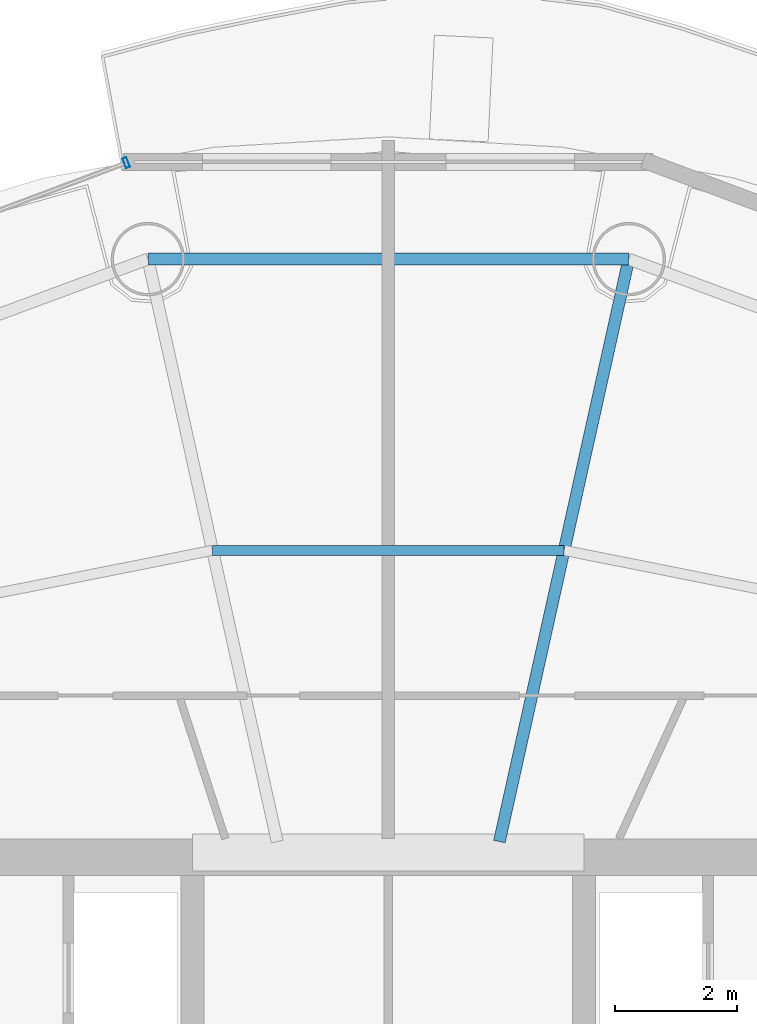
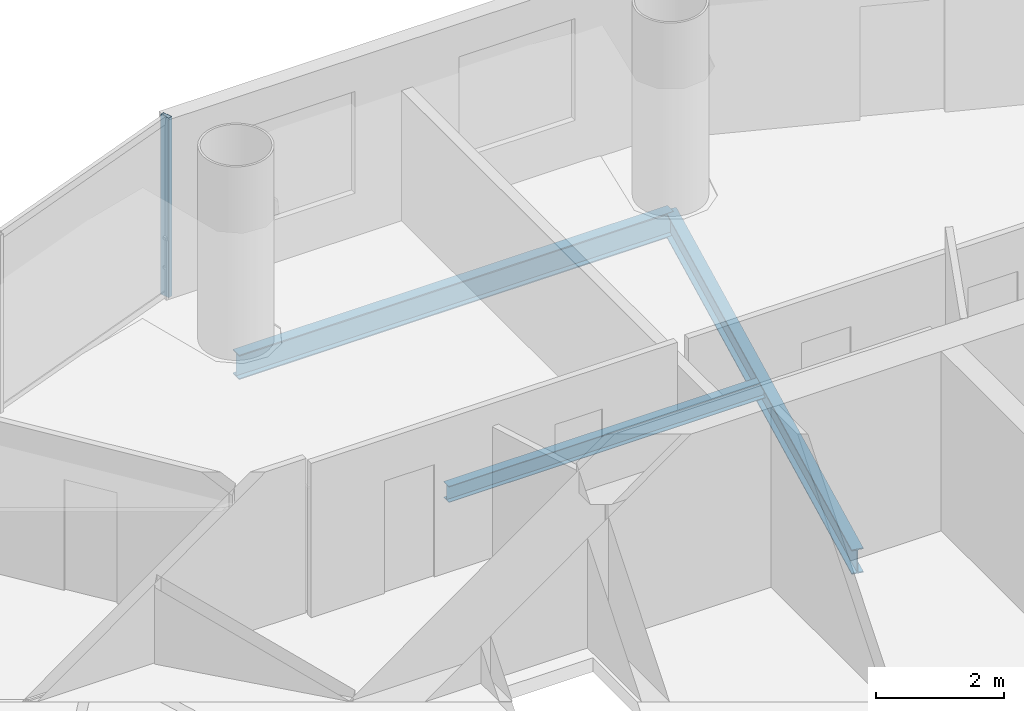
# One storey, part 16 of 26: 3 beams, 1 member, 1 element without a shape of its own.
"""IFC4 building model written with IfcOpenShell, lengths in metres."""

from ifc_helpers import new_model, si_unit, direction, frame, origin, origin_2d, place, context, subcontext, project, spatial, hollow_rectangle, i_section, extrude, source, transform, mapped, material, material_profile, profile_set, type_object, element, aggregate, save


model = new_model("IFC4")

# Units and contexts
model_context = context("Model", 3, precision=1e-05, world=origin(), true_north=direction((-0.2419218956, 0.970295726276)))
body_context = subcontext(model_context, "Body", "Model", "MODEL_VIEW")
ifc_project = project(units=[si_unit("LENGTHUNIT", "METRE"), si_unit("AREAUNIT", "SQUARE_METRE"), si_unit("VOLUMEUNIT", "CUBIC_METRE"), si_unit("PLANEANGLEUNIT", "RADIAN"), si_unit("MASSUNIT", "GRAM", prefix="KILO")], contexts=[model_context])

# Site, building, storey
site_placement = place(None, origin())
site = spatial("IfcSite", under=ifc_project, at=site_placement, CompositionType="ELEMENT")
building_placement = place(site_placement, origin())
building = spatial("IfcBuilding", under=site, at=building_placement, Name="Cobrevalo Terracotta Tower", CompositionType="ELEMENT")
storey_placement = place(building_placement, frame((0.0, 0.0, 202.300048828125)))
storey = spatial("IfcBuildingStorey", under=building, at=storey_placement, Name="L53", CompositionType="ELEMENT", Elevation=202.300048828125)

# Beams
ifc_material_1 = material(Name="Steel S355", Category="steel")
ifc_material_profile_1 = material_profile(ifc_material_1, i_section(OverallWidth=0.194091796875, OverallDepth=0.468994140625, WebThickness=0.011474609375, FlangeThickness=0.0205078125, at=origin_2d()), Name="W 460x106")
ifc_profile_set_1 = profile_set([ifc_material_profile_1], Name="Steel S355")
beam_type_1 = type_object("IfcBeamType", Name="Structural Beam W 460x106 (Steel S355)", PredefinedType="BEAM", material=ifc_profile_set_1)
beam_1_placement = place(storey_placement, frame((41.93115234375, 44.503173828125, -0.49951171875), z_axis=(-0.216782061165, -0.976220025382, 0.0), x_axis=(0.976220025382, -0.216782061165, 0.0)))
element("IfcBeam", 1, at=beam_1_placement, inside=storey, type_object=beam_type_1, Name="L53 radial floor girder 04", PredefinedType="BEAM", context=body_context, shape_type="SweptSolid", body=[
    extrude(i_section(OverallWidth=0.194091796875, OverallDepth=0.468994140625, WebThickness=0.011474609375, FlangeThickness=0.0205078125, at=origin_2d()), origin(), (0.0, 0.0, 1.0), 9.755126953125),
])
ifc_material_profile_2 = material_profile(ifc_material_1, i_section(OverallWidth=0.1650390625, OverallDepth=0.31005859375, WebThickness=0.005859375, FlangeThickness=0.009765625, at=origin_2d()), Name="W 310x38.7")
ifc_profile_set_2 = profile_set([ifc_material_profile_2], Name="Steel S355")
beam_type_2 = type_object("IfcBeamType", Name="Structural Joist W 310x38.7 (Steel S355)", PredefinedType="JOIST", material=ifc_profile_set_2)
beam_2_placement = place(storey_placement, frame((40.873779296875, 39.74169921875, -0.420166015625), z_axis=(-1.0, 0.0, 0.0), x_axis=(0.0, -1.0, 0.0)))
element("IfcBeam", 2, at=beam_2_placement, inside=storey, type_object=beam_type_2, Name="L53 circumferential secondary floor joist 04", PredefinedType="JOIST", context=body_context, shape_type="SweptSolid", body=[
    extrude(i_section(OverallWidth=0.1650390625, OverallDepth=0.31005859375, WebThickness=0.005859375, FlangeThickness=0.009765625, at=origin_2d()), origin(), (0.0, 0.0, 1.0), 5.74755859375),
])
ifc_material_profile_3 = material_profile(ifc_material_1, i_section(OverallWidth=0.194091796875, OverallDepth=0.468994140625, WebThickness=0.011474609375, FlangeThickness=0.0205078125, at=origin_2d()), Name="W 460x106")
ifc_profile_set_3 = profile_set([ifc_material_profile_3], Name="Steel S355")
beam_type_3 = type_object("IfcBeamType", Name="Structural Spandrel W 460x106 (Steel S355)", PredefinedType="SPANDREL", material=ifc_profile_set_3)
beam_3_placement = place(storey_placement, frame((41.93115234375, 44.503173828125, -0.49951171875), z_axis=(-1.0, 0.0, 0.0), x_axis=(0.0, -1.0, 0.0)))
element("IfcBeam", 3, at=beam_3_placement, inside=storey, type_object=beam_type_3, Name="L53 perimeter ring spandrel 04", PredefinedType="SPANDREL", context=body_context, shape_type="SweptSolid", body=[
    extrude(i_section(OverallWidth=0.194091796875, OverallDepth=0.468994140625, WebThickness=0.011474609375, FlangeThickness=0.0205078125, at=origin_2d()), origin(), (0.0, 0.0, 1.0), 7.8623046875),
])

# Curtain wall, member
ifc_material_2 = material(Name="Anodized aluminium", Category="aluminium")
curtain_wall_type = type_object("IfcCurtainWallType", Name="Mid-tower high-wind unitised curtain wall CW-U2", PredefinedType="NOTDEFINED", material=ifc_material_2)
curtain_wall_placement = place(storey_placement, origin())
curtain_wall = element("IfcCurtainWall", 4, at=curtain_wall_placement, inside=storey, type_object=curtain_wall_type, Name="L53 curtain wall CW-L53-S05", PredefinedType="NOTDEFINED")
ifc_material_profile_4 = material_profile(ifc_material_2, hollow_rectangle(XDim=0.070068359375, YDim=0.169921875, WallThickness=0.00439453125, at=origin_2d()), Name="CWM 70x170")
ifc_profile_set_4 = profile_set([ifc_material_profile_4], Name="Anodized aluminium")
member_type = type_object("IfcMemberType", Name="Upper tower unitised mullion 70x170", PredefinedType="MULLION", material=ifc_profile_set_4)
shared_shape = source(origin(), body_context, "Body", "SweptSolid", [
    extrude(hollow_rectangle(XDim=0.070068359375, YDim=0.169921875, WallThickness=0.00439453125, at=origin_2d()), origin(), (0.0, 0.0, 1.0), 3.43505859375),
])
member_placement = place(storey_placement, frame((33.71533203125, 46.078125, 0.0), z_axis=(0.0, 0.0, 1.0), x_axis=(-0.936556004584, -0.350517974259, 0.0)))
member = element("IfcMember", 5, at=member_placement, type_object=member_type, Name="CW-L53-S05 vertical mullion 01", PredefinedType="MULLION", context=body_context, shape_type="MappedRepresentation", body=[
    mapped(shared_shape, transform((0.0, 0.0, 0.0), scale=1.0)),
])
aggregate(curtain_wall, [member])

save(model, "model.ifc")
